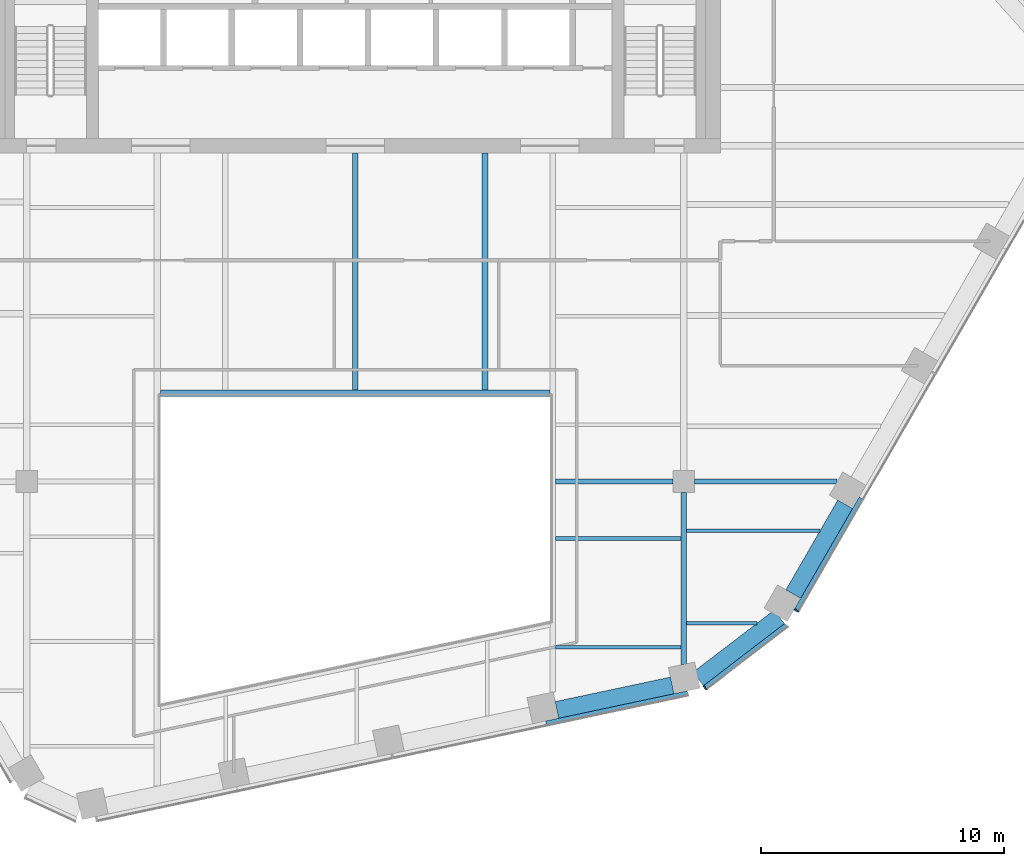
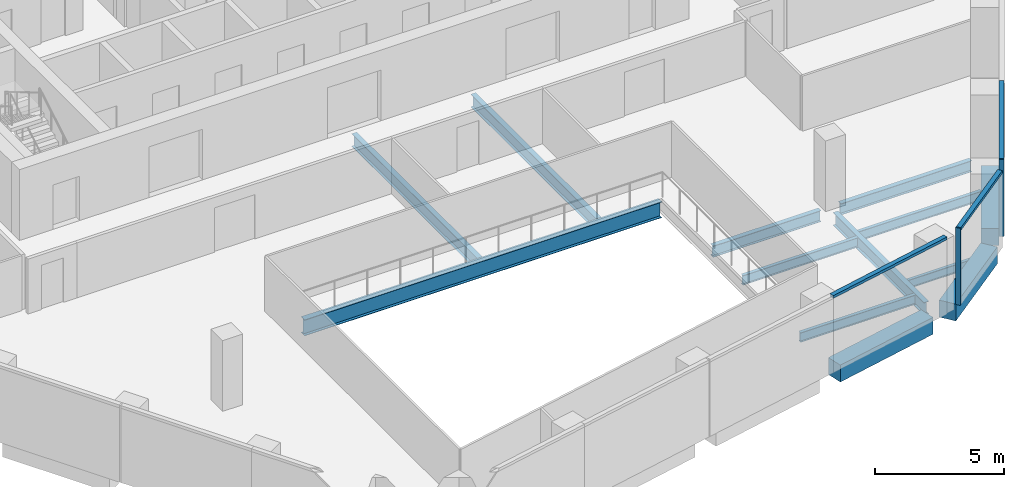
# One storey, part 4 of 16: 13 beams, 5 members, 3 elements without a shape of their own.
"""IFC4 building model written with IfcOpenShell, lengths in metres."""

from ifc_helpers import new_model, si_unit, direction, frame, origin, origin_2d, place, context, subcontext, project, spatial, rectangle, i_section, extrude, material, layer, layer_set, material_profile, profile_set, type_object, element, aggregate, save


model = new_model("IFC4")

# Units and contexts
model_context = context("Model", 3, precision=1e-05, world=origin(), true_north=direction((0.0, 1.0)))
body_context = subcontext(model_context, "Body", "Model", "MODEL_VIEW")
ifc_project = project(units=[si_unit("LENGTHUNIT", "METRE"), si_unit("AREAUNIT", "SQUARE_METRE"), si_unit("VOLUMEUNIT", "CUBIC_METRE"), si_unit("PLANEANGLEUNIT", "RADIAN"), si_unit("MASSUNIT", "GRAM", prefix="KILO")], contexts=[model_context])

# Site, building, storey
site_placement = place(None, origin())
site = spatial("IfcSite", under=ifc_project, at=site_placement, CompositionType="ELEMENT")
building_placement = place(site_placement, origin())
building = spatial("IfcBuilding", under=site, at=building_placement, Name="Isthmus Gate Tower", CompositionType="ELEMENT")
storey_placement = place(building_placement, frame((0.0, 0.0, 252.800048828125)))
storey = spatial("IfcBuildingStorey", under=building, at=storey_placement, Name="L64", CompositionType="ELEMENT", Elevation=252.800048828125)

# Curtain wall, member
ifc_material_1 = material(Name="Aluminium, pale champagne anodised", Category="aluminium")
ifc_layer = layer(ifc_material_1, 0.199951171875)
ifc_layer_set = layer_set([ifc_layer], Name="CW-1 UNITISED CURTAIN WALL 200 DEEP")
curtain_wall_type = type_object("IfcCurtainWallType", Name="CW-1 UNITISED CURTAIN WALL 200 DEEP", PredefinedType="NOTDEFINED", material=ifc_layer_set)
curtain_wall_1_placement = place(storey_placement, origin())
curtain_wall_1 = element("IfcCurtainWall", 1, at=curtain_wall_1_placement, inside=storey, type_object=curtain_wall_type, Name="CW-1 S-SE L64", PredefinedType="NOTDEFINED")
ifc_material_2 = material(Name="Aluminium, pale champagne anodised", Category="aluminium")
ifc_material_profile_1 = material_profile(ifc_material_2, rectangle(XDim=0.06005859375, YDim=0.199951171875, at=origin_2d()), Name="60x200")
ifc_profile_set_1 = profile_set([ifc_material_profile_1], Name="Aluminium, pale champagne anodised")
member_type_1 = type_object("IfcMemberType", Name="CW-1 MULLION 60 X 200", PredefinedType="MULLION", material=ifc_profile_set_1)
member_1_placement = place(storey_placement, frame((14.3720703125, -21.961669921875, 0.0), z_axis=(0.0, 0.0, 1.0), x_axis=(0.794188594387, 0.607671355706, 0.0)))
member_1 = element("IfcMember", 2, at=member_1_placement, type_object=member_type_1, Name="CW-1 mullion", PredefinedType="MULLION", context=body_context, shape_type="SweptSolid", body=[
    extrude(rectangle(XDim=0.06005859375, YDim=0.199951171875, at=origin_2d()), origin(), (0.0, 0.0, 1.0), 3.64990234375),
])

curtain_wall_2_placement = place(storey_placement, origin())
curtain_wall_2 = element("IfcCurtainWall", 3, at=curtain_wall_2_placement, inside=storey, type_object=curtain_wall_type, Name="CW-1 SE L64", PredefinedType="NOTDEFINED")
member_2_placement = place(storey_placement, frame((18.131591796875, -18.794921875, 0.0), z_axis=(0.0, 0.0, 1.0), x_axis=(0.5, 0.866025403784, 0.0)))
member_2 = element("IfcMember", 4, at=member_2_placement, type_object=member_type_1, Name="CW-1 mullion", PredefinedType="MULLION", context=body_context, shape_type="SweptSolid", body=[
    extrude(rectangle(XDim=0.06005859375, YDim=0.199951171875, at=origin_2d()), origin(), (0.0, 0.0, 1.0), 3.64990234375),
])

curtain_wall_3_placement = place(storey_placement, origin())
curtain_wall_3 = element("IfcCurtainWall", 5, at=curtain_wall_3_placement, inside=storey, type_object=curtain_wall_type, Name="CW-1 S L64", PredefinedType="NOTDEFINED")
ifc_material_3 = material(Name="Aluminium, pale champagne anodised", Category="aluminium")
ifc_material_profile_2 = material_profile(ifc_material_3, rectangle(XDim=0.199951171875, YDim=0.1298828125, at=origin_2d()), Name="200x130")
ifc_profile_set_2 = profile_set([ifc_material_profile_2], Name="Aluminium, pale champagne anodised")
member_type_2 = type_object("IfcMemberType", Name="CW-1 TRANSOM 200 X 130", PredefinedType="USERDEFINED", material=ifc_profile_set_2)
member_3_placement = place(storey_placement, frame((7.844970703125, -23.434814453125, 3.5849609375), z_axis=(0.978148616043, 0.207906914105, 0.0), x_axis=(-0.207906914105, 0.978148616043, 0.0)))
member_3 = element("IfcMember", 6, at=member_3_placement, type_object=member_type_2, Name="CW-1 transom", ObjectType="TRANSOM", PredefinedType="USERDEFINED", context=body_context, shape_type="SweptSolid", body=[
    extrude(rectangle(XDim=0.199951171875, YDim=0.1298828125, at=origin_2d()), origin(), (0.0, 0.0, 1.0), 5.94189453125),
])
aggregate(curtain_wall_3, [member_3])

# Member
member_4_placement = place(storey_placement, frame((14.39599609375, -21.943603515625, 3.5849609375), z_axis=(0.794175498212, 0.607688471209, 0.0), x_axis=(-0.607688471209, 0.794175498212, 0.0)))
member_4 = element("IfcMember", 7, at=member_4_placement, type_object=member_type_2, Name="CW-1 transom", ObjectType="TRANSOM", PredefinedType="USERDEFINED", context=body_context, shape_type="SweptSolid", body=[
    extrude(rectangle(XDim=0.199951171875, YDim=0.1298828125, at=origin_2d()), origin(), (0.0, 0.0, 1.0), 4.181396484375),
])

aggregate(curtain_wall_1, [member_1, member_4])

member_5_placement = place(storey_placement, frame((18.146728515625, -18.76904296875, 3.5849609375), z_axis=(0.499968318869, 0.866043694121, 0.0), x_axis=(-0.866043694121, 0.499968318869, 0.0)))
member_5 = element("IfcMember", 8, at=member_5_placement, type_object=member_type_2, Name="CW-1 transom", ObjectType="TRANSOM", PredefinedType="USERDEFINED", context=body_context, shape_type="SweptSolid", body=[
    extrude(rectangle(XDim=0.199951171875, YDim=0.1298828125, at=origin_2d()), origin(), (0.0, 0.0, 1.0), 5.300537109375),
])

aggregate(curtain_wall_2, [member_2, member_5])

# Beams
ifc_material_4 = material(Name="Concrete f'c 50 MPa", Category="concrete")
ifc_material_profile_3 = material_profile(ifc_material_4, rectangle(XDim=0.699951171875, YDim=0.800048828125, at=origin_2d()), Name="RC 700X800")
ifc_profile_set_3 = profile_set([ifc_material_profile_3], Name="Concrete f'c 50 MPa")
beam_type_1 = type_object("IfcBeamType", Name="RC SPANDREL 700 X 800", PredefinedType="SPANDREL", material=ifc_profile_set_3)
beam_1_placement = place(storey_placement, frame((20.13232421875, -14.429931640625, -0.400146484375), z_axis=(-0.500021719575, -0.866012863619, 0.0), x_axis=(0.866012863619, -0.500021719575, 0.0)))
element("IfcBeam", 9, at=beam_1_placement, inside=storey, type_object=beam_type_1, Name="str-spandrel-L64-09", PredefinedType="SPANDREL", context=body_context, shape_type="SweptSolid", body=[
    extrude(rectangle(XDim=0.699951171875, YDim=0.800048828125, at=origin_2d()), origin(), (0.0, 0.0, 1.0), 4.260498046875),
])
beam_2_placement = place(storey_placement, frame((17.4267578125, -19.057861328125, -0.400146484375), z_axis=(-0.794182771845, -0.60767896533, 0.0), x_axis=(0.60767896533, -0.794182771845, 0.0)))
element("IfcBeam", 10, at=beam_2_placement, inside=storey, type_object=beam_type_1, Name="str-spandrel-L64-10", PredefinedType="SPANDREL", context=body_context, shape_type="SweptSolid", body=[
    extrude(rectangle(XDim=0.699951171875, YDim=0.800048828125, at=origin_2d()), origin(), (0.0, 0.0, 1.0), 4.19677734375),
])
beam_3_placement = place(storey_placement, frame((13.025390625, -21.87353515625, -0.400146484375), z_axis=(-0.978151545833, -0.207893129722, 0.0), x_axis=(0.207893129722, -0.978151545833, 0.0)))
element("IfcBeam", 11, at=beam_3_placement, inside=storey, type_object=beam_type_1, Name="str-spandrel-L64-11", PredefinedType="SPANDREL", context=body_context, shape_type="SweptSolid", body=[
    extrude(rectangle(XDim=0.699951171875, YDim=0.800048828125, at=origin_2d()), origin(), (0.0, 0.0, 1.0), 4.841796875),
])
ifc_material_5 = material(Name="Structural steel ASTM A992 Gr 50", Category="steel")
ifc_material_profile_4 = material_profile(ifc_material_5, i_section(OverallWidth=0.1396484375, OverallDepth=0.4033203125, WebThickness=0.00634765625, FlangeThickness=0.010986328125, at=origin_2d()), Name="W16X31")
ifc_profile_set_4 = profile_set([ifc_material_profile_4], Name="Structural steel ASTM A992 Gr 50")
beam_type_2 = type_object("IfcBeamType", Name="STEEL FLOOR BEAM W16X31", PredefinedType="JOIST", material=ifc_profile_set_4)
beam_4_placement = place(storey_placement, frame((13.6142578125, -19.322998046875, -0.3515625), z_axis=(1.0, 0.0, 0.0), x_axis=(0.0, 1.0, 0.0)))
element("IfcBeam", 12, at=beam_4_placement, inside=storey, type_object=beam_type_2, Name="str-beam-L64-11-00", PredefinedType="JOIST", context=body_context, shape_type="SweptSolid", body=[
    extrude(i_section(OverallWidth=0.1396484375, OverallDepth=0.4033203125, WebThickness=0.00634765625, FlangeThickness=0.010986328125, at=origin_2d()), origin(), (0.0, 0.0, 1.0), 2.889892578125),
])
ifc_material_6 = material(Name="Structural steel ASTM A992 Gr 50", Category="steel")
ifc_material_profile_5 = material_profile(ifc_material_6, i_section(OverallWidth=0.15234375, OverallDepth=0.45068359375, WebThickness=0.0078125, FlangeThickness=0.010986328125, at=origin_2d()), Name="W18X35")
ifc_profile_set_5 = profile_set([ifc_material_profile_5], Name="Structural steel ASTM A992 Gr 50")
beam_type_3 = type_object("IfcBeamType", Name="STEEL FLOOR BEAM W18X35", PredefinedType="JOIST", material=ifc_profile_set_5)
for number, where, z_axis, x_axis, name in (
    (13, (8.228515625, -20.3046875, -0.37548828125), (1.0, 0.0, 0.0), (0.0, 1.0, 0.0), "str-beam-L64-09-00"),
    (14, (8.228515625, -15.838134765625, -0.37548828125), (1.0, 0.0, 0.0), (0.0, 1.0, 0.0), "str-beam-L64-09-01"),
):
    element("IfcBeam", number, at=place(storey_placement, frame(where, z_axis=z_axis, x_axis=x_axis)), inside=storey, type_object=beam_type_3, Name=name, PredefinedType="JOIST", context=body_context, shape_type="SweptSolid", body=[
        extrude(i_section(OverallWidth=0.15234375, OverallDepth=0.45068359375, WebThickness=0.0078125, FlangeThickness=0.010986328125, at=origin_2d()), origin(), (0.0, 0.0, 1.0), 5.1572265625),
    ])
beam_5_placement = place(storey_placement, frame((13.6142578125, -15.5107421875, -0.37548828125), z_axis=(1.0, 0.0, 0.0), x_axis=(0.0, 1.0, 0.0)))
element("IfcBeam", 15, at=beam_5_placement, inside=storey, type_object=beam_type_3, Name="str-beam-L64-11-01", PredefinedType="JOIST", context=body_context, shape_type="SweptSolid", body=[
    extrude(i_section(OverallWidth=0.15234375, OverallDepth=0.45068359375, WebThickness=0.0078125, FlangeThickness=0.010986328125, at=origin_2d()), origin(), (0.0, 0.0, 1.0), 5.48974609375),
])
ifc_material_7 = material(Name="Structural steel ASTM A992 Gr 50", Category="steel")
ifc_material_profile_6 = material_profile(ifc_material_7, i_section(OverallWidth=0.228515625, OverallDepth=0.603271484375, WebThickness=0.010986328125, FlangeThickness=0.014404296875, at=origin_2d()), Name="W24X68")
ifc_profile_set_6 = profile_set([ifc_material_profile_6], Name="Structural steel ASTM A992 Gr 50")
beam_type_4 = type_object("IfcBeamType", Name="STEEL FLOOR BEAM W24X68", PredefinedType="JOIST", material=ifc_profile_set_6)
for number, where, z_axis, x_axis, name in (
    (16, (0.0, -9.7333984375, -0.45166015625), (0.0, 1.0, 0.0), (-1.0, 0.0, 0.0), "str-beam-L64-07-01"),
    (17, (5.333251953125, -9.7333984375, -0.45166015625), (0.0, 1.0, 0.0), (-1.0, 0.0, 0.0), "str-beam-L64-07-02"),
):
    element("IfcBeam", number, at=place(storey_placement, frame(where, z_axis=z_axis, x_axis=x_axis)), inside=storey, type_object=beam_type_4, Name=name, PredefinedType="JOIST", context=body_context, shape_type="SweptSolid", body=[
        extrude(i_section(OverallWidth=0.228515625, OverallDepth=0.603271484375, WebThickness=0.010986328125, FlangeThickness=0.014404296875, at=origin_2d()), origin(), (0.0, 0.0, 1.0), 9.7333984375),
    ])
ifc_material_8 = material(Name="Structural steel ASTM A992 Gr 50", Category="steel")
ifc_material_profile_7 = material_profile(ifc_material_8, i_section(OverallWidth=0.20947265625, OverallDepth=0.533447265625, WebThickness=0.009521484375, FlangeThickness=0.015869140625, at=origin_2d()), Name="W21X62")
ifc_profile_set_7 = profile_set([ifc_material_profile_7], Name="Structural steel ASTM A992 Gr 50")
beam_type_5 = type_object("IfcBeamType", Name="STEEL GIRDER W21X62", PredefinedType="BEAM", material=ifc_profile_set_7)
beam_6_placement = place(storey_placement, frame((8.228515625, -13.5, -0.416748046875), z_axis=(1.0, 0.0, 0.0), x_axis=(0.0, 1.0, 0.0)))
element("IfcBeam", 18, at=beam_6_placement, inside=storey, type_object=beam_type_5, Name="str-girder-L64-03", PredefinedType="BEAM", context=body_context, shape_type="SweptSolid", body=[
    extrude(i_section(OverallWidth=0.20947265625, OverallDepth=0.533447265625, WebThickness=0.009521484375, FlangeThickness=0.015869140625, at=origin_2d()), origin(), (0.0, 0.0, 1.0), 4.821533203125),
])
beam_7_placement = place(storey_placement, frame((13.949951171875, -13.5, -0.416748046875), z_axis=(1.0, 0.0, 0.0), x_axis=(0.0, 1.0, 0.0)))
element("IfcBeam", 19, at=beam_7_placement, inside=storey, type_object=beam_type_5, Name="str-girder-L64-04", PredefinedType="BEAM", context=body_context, shape_type="SweptSolid", body=[
    extrude(i_section(OverallWidth=0.20947265625, OverallDepth=0.533447265625, WebThickness=0.009521484375, FlangeThickness=0.015869140625, at=origin_2d()), origin(), (0.0, 0.0, 1.0), 5.853271484375),
])
ifc_material_9 = material(Name="Structural steel ASTM A992 Gr 50", Category="steel")
ifc_material_profile_8 = material_profile(ifc_material_9, i_section(OverallWidth=0.228515625, OverallDepth=0.603271484375, WebThickness=0.010986328125, FlangeThickness=0.014404296875, at=origin_2d()), Name="W24X68")
ifc_profile_set_8 = profile_set([ifc_material_profile_8], Name="Structural steel ASTM A992 Gr 50")
beam_type_6 = type_object("IfcBeamType", Name="STEEL GIRDER W24X68", PredefinedType="BEAM", material=ifc_profile_set_8)
beam_8_placement = place(storey_placement, frame((13.5, -21.005859375, -0.45166015625), z_axis=(0.0, 1.0, 0.0), x_axis=(-1.0, 0.0, 0.0)))
element("IfcBeam", 20, at=beam_8_placement, inside=storey, type_object=beam_type_6, Name="str-girder-L64-07", PredefinedType="BEAM", context=body_context, shape_type="SweptSolid", body=[
    extrude(i_section(OverallWidth=0.228515625, OverallDepth=0.603271484375, WebThickness=0.010986328125, FlangeThickness=0.014404296875, at=origin_2d()), origin(), (0.0, 0.0, 1.0), 7.055908203125),
])
ifc_material_10 = material(Name="Structural steel ASTM A992 Gr 50", Category="steel")
ifc_material_profile_9 = material_profile(ifc_material_10, i_section(OverallWidth=0.2666015625, OverallDepth=0.7587890625, WebThickness=0.014404296875, FlangeThickness=0.01904296875, at=origin_2d()), Name="W30X108")
ifc_profile_set_9 = profile_set([ifc_material_profile_9], Name="Structural steel ASTM A992 Gr 50")
beam_type_7 = type_object("IfcBeamType", Name="STEEL TRIMMER W30X108", PredefinedType="BEAM", material=ifc_profile_set_9)
beam_9_placement = place(storey_placement, frame((8.0, -9.86669921875, -0.529541015625), z_axis=(-1.0, 0.0, 0.0), x_axis=(0.0, -1.0, 0.0)))
element("IfcBeam", 21, at=beam_9_placement, inside=storey, type_object=beam_type_7, Name="str-trimmer-L64-04", PredefinedType="BEAM", context=body_context, shape_type="SweptSolid", body=[
    extrude(i_section(OverallWidth=0.2666015625, OverallDepth=0.7587890625, WebThickness=0.014404296875, FlangeThickness=0.01904296875, at=origin_2d()), origin(), (0.0, 0.0, 1.0), 16.0),
])

save(model, "model.ifc")
